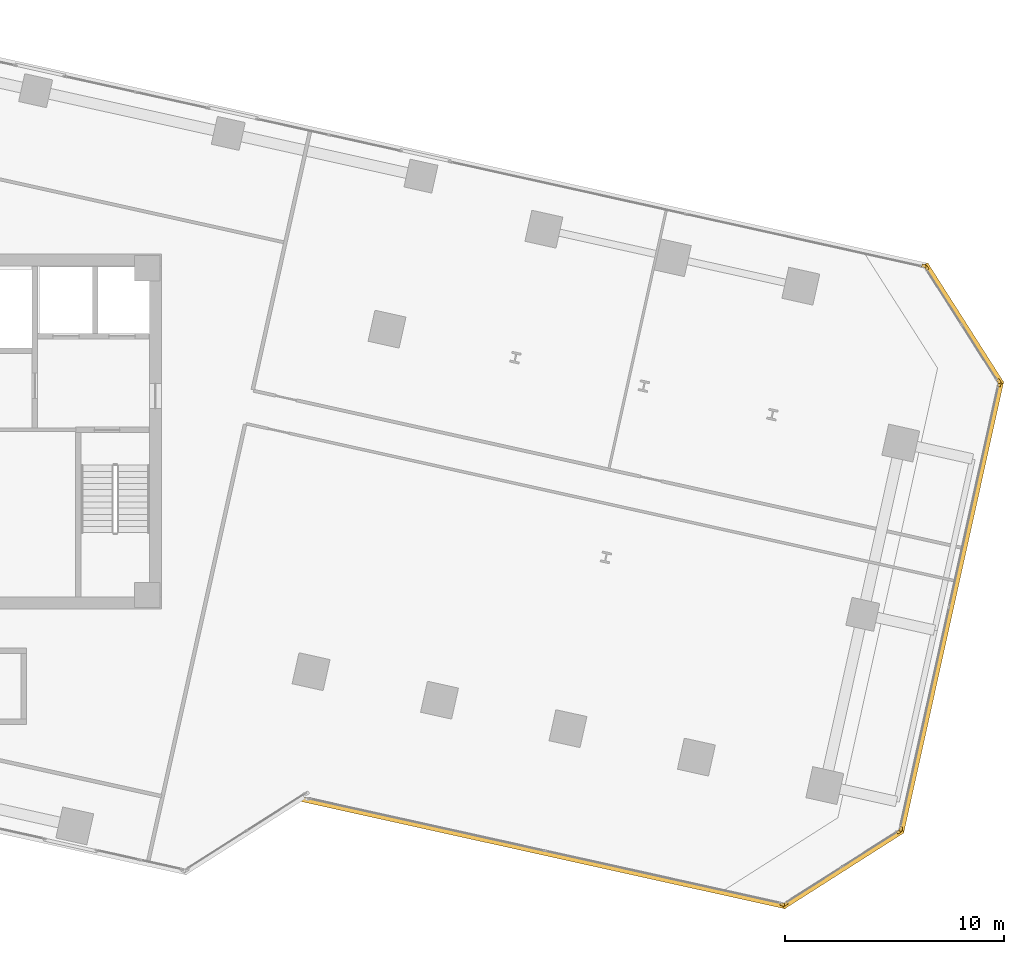
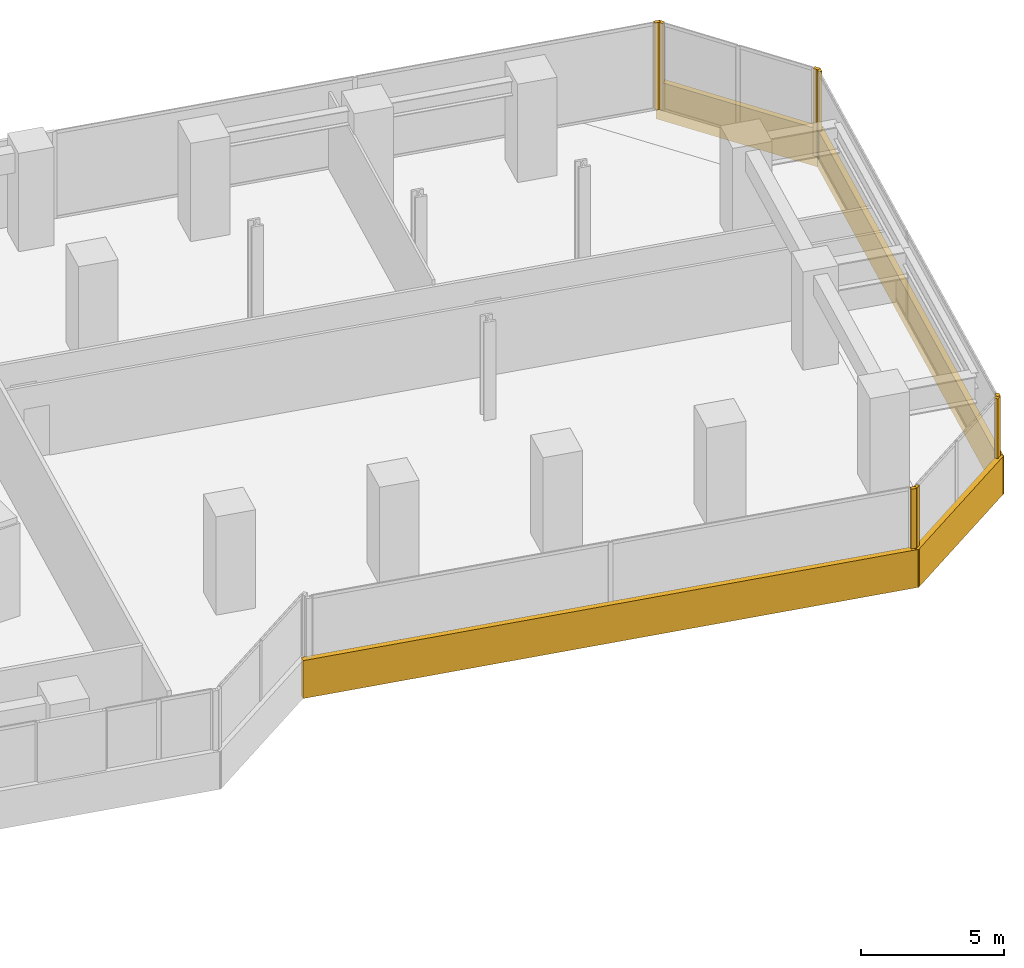
# One storey, part 24 of 25: 12 coverings.
"""IFC4 building model written with IfcOpenShell, lengths in metres."""

from ifc_helpers import new_model, si_unit, direction, frame, origin, origin_2d, place, context, subcontext, project, spatial, rectangle, extrude, source, transform, mapped, material, layer, layer_set, type_object, element, save


model = new_model("IFC4")

# Units and contexts
model_context = context("Model", 3, precision=1e-05, world=origin(), true_north=direction((0.0, 1.0)))
body_context = subcontext(model_context, "Body", "Model", "MODEL_VIEW")
ifc_project = project(units=[si_unit("LENGTHUNIT", "METRE"), si_unit("AREAUNIT", "SQUARE_METRE"), si_unit("VOLUMEUNIT", "CUBIC_METRE"), si_unit("PLANEANGLEUNIT", "RADIAN"), si_unit("MASSUNIT", "GRAM", prefix="KILO")], contexts=[model_context])

# Site, building, storey
site_placement = place(None, origin())
site = spatial("IfcSite", under=ifc_project, at=site_placement, CompositionType="ELEMENT")
building_placement = place(site_placement, origin())
building = spatial("IfcBuilding", under=site, at=building_placement, Name="Torre Montelarca", CompositionType="ELEMENT")
storey_placement = place(building_placement, frame((0.0, 0.0, 87.39990234375)))
storey = spatial("IfcBuildingStorey", under=building, at=storey_placement, Name="L19", CompositionType="ELEMENT", Elevation=87.39990234375)

# Coverings
ifc_material = material(Name="Bush-hammered warm white precast concrete C45/55", Category="concrete")
ifc_layer = layer(ifc_material, 0.139892578125, Name="Bush-hammered warm white precast concrete C45/55", Category="concrete")
ifc_layer_set = layer_set([ifc_layer], Name="Bush-hammered warm white precast concrete C45/55")
covering_type = type_object("IfcCoveringType", Name="COV-TRAY-CLAD", PredefinedType="CLADDING", material=ifc_layer_set)
shared_shape_1 = source(origin(), body_context, "Body", "SweptSolid", [
    extrude(rectangle(XDim=6.48388671875, YDim=0.219970703125, at=origin_2d()), origin(), (0.0, 0.0, 1.0), 1.6201171875),
])
for number, where, z_axis, x_axis, name in (
    (1, (58.182373046875, 12.05908203125, -0.449951171875), (0.0, 0.0, 1.0), (0.843395196851, 0.537293720351, 0.0), "L19 Architectural White Spandrel Tray Band TRYBOT-05"),
    (2, (63.6923828125, 36.9130859375, -0.449951171875), (0.0, 0.0, 1.0), (-0.537305496317, 0.843387694733, 0.0), "L19 Architectural White Spandrel Tray Band TRYBOT-07"),
):
    element("IfcCovering", number, at=place(storey_placement, frame(where, z_axis=z_axis, x_axis=x_axis)), inside=storey, type_object=covering_type, Name=name, PredefinedType="CLADDING", context=body_context, shape_type="MappedRepresentation", body=[
        mapped(shared_shape_1, transform((0.0, 0.0, 0.0), scale=1.0)),
    ])
shared_shape_2 = source(origin(), body_context, "Body", "SweptSolid", [
    extrude(rectangle(XDim=22.6201171875, YDim=0.219970703125, at=origin_2d()), origin(), (0.0, 0.0, 1.0), 1.6201171875),
])
covering_1_placement = place(storey_placement, frame((44.537841796875, 12.788330078125, -0.449951171875), z_axis=(0.0, 0.0, 1.0), x_axis=(0.976296762631, -0.216436206021, 0.0)))
element("IfcCovering", 3, at=covering_1_placement, inside=storey, type_object=covering_type, Name="L19 Architectural White Spandrel Tray Band TRYBOT-04", PredefinedType="CLADDING", context=body_context, shape_type="MappedRepresentation", body=[
    mapped(shared_shape_2, transform((0.0, 0.0, 0.0), scale=1.0)),
])
shared_shape_3 = source(origin(), body_context, "Body", "SweptSolid", [
    extrude(rectangle(XDim=21.1201171875, YDim=0.219970703125, at=origin_2d()), origin(), (0.0, 0.0, 1.0), 1.6201171875),
])
covering_2_placement = place(storey_placement, frame((63.12548828125, 24.0009765625, -0.449951171875), z_axis=(0.0, 0.0, 1.0), x_axis=(0.21643790998, 0.976296384877, 0.0)))
element("IfcCovering", 4, at=covering_2_placement, inside=storey, type_object=covering_type, Name="L19 Architectural White Spandrel Tray Band TRYBOT-06", PredefinedType="CLADDING", context=body_context, shape_type="MappedRepresentation", body=[
    mapped(shared_shape_3, transform((0.0, 0.0, 0.0), scale=1.0)),
])
shared_shape_4 = source(origin(), body_context, "Body", "SweptSolid", [
    extrude(rectangle(XDim=0.199951171875, YDim=0.139892578125, at=origin_2d()), origin(), (0.0, 0.0, 1.0), 3.719970703125),
])
for number, where, z_axis, x_axis, name in (
    (5, (55.421142578125, 10.43701171875, 0.0), (0.0, 0.0, 1.0), (0.97629751813, -0.216432798101, 0.0), "L19 Architectural Column Pier Cladding E04-2"),
    (6, (55.564208984375, 10.462158203125, 0.0), (0.0, 0.0, 1.0), (0.843389570278, 0.537302552335, 0.0), "L19 Architectural Column Pier Cladding E05-1"),
    (7, (60.736083984375, 13.757080078125, 0.0), (0.0, 0.0, 1.0), (0.843389570278, 0.537302552335, 0.0), "L19 Architectural Column Pier Cladding E05-2"),
    (8, (60.8193359375, 13.8759765625, 0.0), (0.0, 0.0, 1.0), (0.21643790998, 0.976296384877, 0.0), "L19 Architectural Column Pier Cladding E06-1"),
    (9, (65.314208984375, 34.152099609375, 0.0), (0.0, 0.0, 1.0), (0.21643790998, 0.976296384877, 0.0), "L19 Architectural Column Pier Cladding E06-2"),
    (10, (65.289306640625, 34.294921875, 0.0), (0.0, 0.0, 1.0), (-0.537314328223, 0.843382068037, 0.0), "L19 Architectural Column Pier Cladding E07-1"),
    (11, (61.994140625, 39.466796875, 0.0), (0.0, 0.0, 1.0), (-0.537314328223, 0.843382068037, 0.0), "L19 Architectural Column Pier Cladding E07-2"),
    (12, (61.875244140625, 39.550048828125, 0.0), (0.0, 0.0, 1.0), (-0.97629600712, 0.216439613938, 0.0), "L19 Architectural Column Pier Cladding E08-1"),
):
    element("IfcCovering", number, at=place(storey_placement, frame(where, z_axis=z_axis, x_axis=x_axis)), inside=storey, type_object=covering_type, Name=name, PredefinedType="CLADDING", context=body_context, shape_type="MappedRepresentation", body=[
        mapped(shared_shape_4, transform((0.0, 0.0, 0.0), scale=1.0)),
    ])

save(model, "model.ifc")
